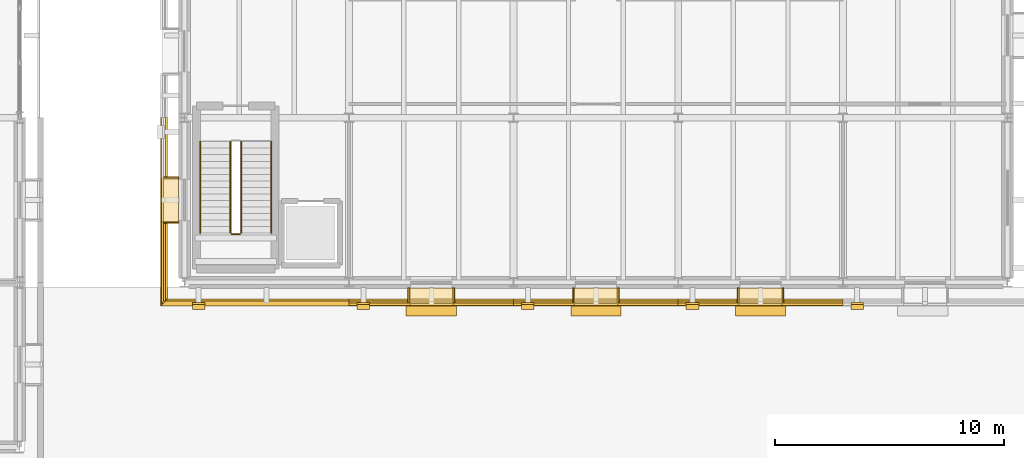
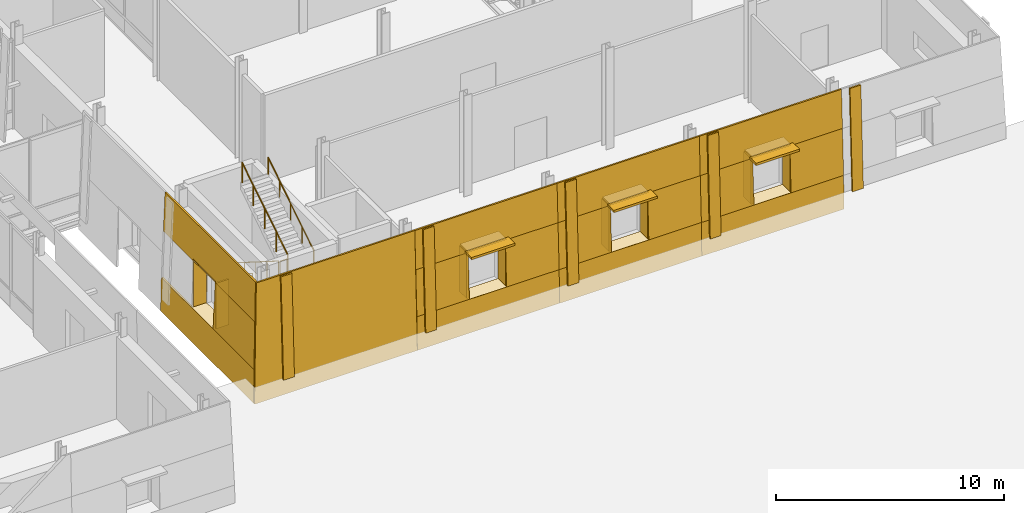
# One storey, part 105 of 120: 37 coverings, 5 railings, 3 shading devices.
"""IFC4 building model written with IfcOpenShell, lengths in metres."""

from ifc_helpers import new_model, si_unit, direction, frame, origin, origin_2d, place, context, subcontext, project, spatial, polyline, rectangle, circle, outline, extrude, material, layer, layer_set, type_object, element, save


model = new_model("IFC4")

# Units and contexts
model_context = context("Model", 3, precision=1e-05, world=origin(), true_north=direction((0.0, 1.0)))
body_context = subcontext(model_context, "Body", "Model", "MODEL_VIEW")
ifc_project = project(units=[si_unit("LENGTHUNIT", "METRE"), si_unit("AREAUNIT", "SQUARE_METRE"), si_unit("VOLUMEUNIT", "CUBIC_METRE"), si_unit("PLANEANGLEUNIT", "RADIAN"), si_unit("MASSUNIT", "GRAM", prefix="KILO")], contexts=[model_context])

# Site, building, storey
site_placement = place(None, origin())
site = spatial("IfcSite", under=ifc_project, at=site_placement, CompositionType="ELEMENT")
building_placement = place(site_placement, origin())
building = spatial("IfcBuilding", under=site, at=building_placement, Name="Narikvali Park Central Library", CompositionType="ELEMENT")
storey_placement = place(building_placement, origin())
storey = spatial("IfcBuildingStorey", under=building, at=storey_placement, Name="L00", CompositionType="ELEMENT", Elevation=0.0)

# Coverings
ifc_material_1 = material(Name="White Honed Limestone Cladding", Category="masonry")
ifc_layer_1 = layer(ifc_material_1, 0.0849609375, Name="White Honed Limestone Cladding")
ifc_layer_set_1 = layer_set([ifc_layer_1], Name="White Honed Limestone Cladding")
covering_type_1 = type_object("IfcCoveringType", Name="Battered White Limestone Facade Cladding Panel", PredefinedType="CLADDING", material=ifc_layer_set_1)
covering_1_placement = place(storey_placement, frame((65.14990234375, 56.419921875, 0.0), z_axis=(0.0, -0.999162106953, 0.040927790438), x_axis=(1.0, 0.0, 0.0)))
element("IfcCovering", 1, at=covering_1_placement, inside=storey, type_object=covering_type_1, Name="V1 L00 S Classical Limestone Pilaster B01", PredefinedType="CLADDING", context=body_context, shape_type="SweptSolid", body=[
    extrude(outline(polyline([(0.0, 0.0), (0.550048828125, 0.0), (0.550048828125, 5.404430678640961), (0.0, 5.404430678640961), (0.0, 0.0)])), origin(), (0.0, 0.0, -1.0), 0.0849609375),
])
covering_2_placement = place(storey_placement, frame((63.760009765625, 56.56005859375, -0.8798828125), z_axis=(0.0, -0.99938162103, 0.0351621323), x_axis=(1.0, 0.0, 0.0)))
element("IfcCovering", 2, at=covering_2_placement, inside=storey, type_object=covering_type_1, Name="V1 L00 S Battered Limestone Panel B01", PredefinedType="CLADDING", context=body_context, shape_type="SweptSolid", body=[
    extrude(outline(polyline([(0.0, 0.0), (8.239990234375, 0.0), (8.239990234375, 6.283670846157126), (0.220947265625, 6.283670846157126), (0.0, 0.0)])), origin(), (0.0, 0.0, -1.0), 0.0849609375),
])
covering_3_placement = place(storey_placement, frame((72.35009765625, 56.419921875, 0.0), z_axis=(0.0, -0.999162106953, 0.040927790438), x_axis=(1.0, 0.0, 0.0)))
element("IfcCovering", 3, at=covering_3_placement, inside=storey, type_object=covering_type_1, Name="V1 L00 S Classical Limestone Pilaster B02", PredefinedType="CLADDING", context=body_context, shape_type="SweptSolid", body=[
    extrude(outline(polyline([(0.0, 0.0), (0.5498046875, 0.0), (0.5498046875, 5.40443067864096), (0.0, 5.40443067864096), (0.0, 0.0)])), origin(), (0.0, 0.0, -1.0), 0.0849609375),
])
covering_4_placement = place(storey_placement, frame((72.0, 56.56005859375, -0.8798828125), z_axis=(0.0, -0.999788378597, 0.020571777337), x_axis=(1.0, 0.0, 0.0)))
element("IfcCovering", 4, at=covering_4_placement, inside=storey, type_object=covering_type_1, Name="V1 L00 S Battered Limestone Spandrel B02", PredefinedType="CLADDING", context=body_context, shape_type="SweptSolid", body=[
    extrude(outline(polyline([(0.0, 0.0), (7.199951171875, 0.0), (7.199951171875, 1.7801618766042835), (0.0, 1.7801618766042835), (0.0, 0.0)])), origin(), (0.0, 0.0, -1.0), 0.0849609375),
])
covering_5_placement = place(storey_placement, frame((72.0, 56.697021484375, 3.35009765625), z_axis=(0.0, -0.99916170734, 0.040937544941), x_axis=(1.0, 0.0, 0.0)))
element("IfcCovering", 5, at=covering_5_placement, inside=storey, type_object=covering_type_1, Name="V1 L00 S Battered Limestone Lintel B02", PredefinedType="CLADDING", context=body_context, shape_type="SweptSolid", body=[
    extrude(outline(polyline([(0.0, 0.0), (7.199951171875, 0.0), (7.199951171875, 2.0515244654015494), (0.0, 2.0515244654015494), (0.0, 0.0)])), origin(), (0.0, 0.0, -1.0), 0.0849609375),
])
for number, where, z_axis, x_axis, name in (
    (6, (72.0, 56.5966796875, 0.89990234375), (0.0, -0.999162496768, 0.040918272835), (1.0, 0.0, 0.0), "V1 L00 S Battered Limestone Jamb Pier L B02"),
    (7, (76.5400390625, 56.5966796875, 0.89990234375), (0.0, -0.999162496768, 0.040918272835), (1.0, 0.0, 0.0), "V1 L00 S Battered Limestone Jamb Pier R B02"),
):
    element("IfcCovering", number, at=place(storey_placement, frame(where, z_axis=z_axis, x_axis=x_axis)), inside=storey, type_object=covering_type_1, Name=name, PredefinedType="CLADDING", context=body_context, shape_type="SweptSolid", body=[
        extrude(outline(polyline([(0.0, 0.0), (2.659912109375, 0.0), (2.659912109375, 2.4522490790286935), (0.0, 2.4522490790286935), (0.0, 0.0)])), origin(), (0.0, 0.0, -1.0), 0.0849609375),
    ])
covering_6_placement = place(storey_placement, frame((79.550048828125, 56.419921875, 0.0), z_axis=(0.0, -0.999162106953, 0.040927790438), x_axis=(1.0, 0.0, 0.0)))
element("IfcCovering", 8, at=covering_6_placement, inside=storey, type_object=covering_type_1, Name="V1 L00 S Classical Limestone Pilaster B03", PredefinedType="CLADDING", context=body_context, shape_type="SweptSolid", body=[
    extrude(outline(polyline([(0.0, 0.0), (0.550048828125, 0.0), (0.550048828125, 5.404430678640961), (0.0, 5.404430678640961), (0.0, 0.0)])), origin(), (0.0, 0.0, -1.0), 0.0849609375),
])
covering_7_placement = place(storey_placement, frame((79.199951171875, 56.56005859375, -0.8798828125), z_axis=(0.0, -0.999788378597, 0.020571777337), x_axis=(1.0, 0.0, 0.0)))
element("IfcCovering", 9, at=covering_7_placement, inside=storey, type_object=covering_type_1, Name="V1 L00 S Battered Limestone Spandrel B03", PredefinedType="CLADDING", context=body_context, shape_type="SweptSolid", body=[
    extrude(outline(polyline([(0.0, 0.0), (7.199951171875, 0.0), (7.199951171875, 1.7801618766042835), (0.0, 1.7801618766042835), (0.0, 0.0)])), origin(), (0.0, 0.0, -1.0), 0.0849609375),
])
covering_8_placement = place(storey_placement, frame((79.199951171875, 56.697021484375, 3.35009765625), z_axis=(0.0, -0.99916170734, 0.040937544941), x_axis=(1.0, 0.0, 0.0)))
element("IfcCovering", 10, at=covering_8_placement, inside=storey, type_object=covering_type_1, Name="V1 L00 S Battered Limestone Lintel B03", PredefinedType="CLADDING", context=body_context, shape_type="SweptSolid", body=[
    extrude(outline(polyline([(0.0, 0.0), (7.199951171875, 0.0), (7.199951171875, 2.0515244654015494), (0.0, 2.0515244654015494), (0.0, 0.0)])), origin(), (0.0, 0.0, -1.0), 0.0849609375),
])
covering_9_placement = place(storey_placement, frame((79.199951171875, 56.5966796875, 0.89990234375), z_axis=(0.0, -0.999162496768, 0.040918272835), x_axis=(1.0, 0.0, 0.0)))
element("IfcCovering", 11, at=covering_9_placement, inside=storey, type_object=covering_type_1, Name="V1 L00 S Battered Limestone Jamb Pier L B03", PredefinedType="CLADDING", context=body_context, shape_type="SweptSolid", body=[
    extrude(outline(polyline([(0.0, 0.0), (2.66015625, 0.0), (2.66015625, 2.4522490790286935), (0.0, 2.4522490790286935), (0.0, 0.0)])), origin(), (0.0, 0.0, -1.0), 0.0849609375),
])
covering_10_placement = place(storey_placement, frame((83.739990234375, 56.5966796875, 0.89990234375), z_axis=(0.0, -0.999162496768, 0.040918272835), x_axis=(1.0, 0.0, 0.0)))
element("IfcCovering", 12, at=covering_10_placement, inside=storey, type_object=covering_type_1, Name="V1 L00 S Battered Limestone Jamb Pier R B03", PredefinedType="CLADDING", context=body_context, shape_type="SweptSolid", body=[
    extrude(outline(polyline([(0.0, 0.0), (2.659912109375, 0.0), (2.659912109375, 2.4522490790286935), (0.0, 2.4522490790286935), (0.0, 0.0)])), origin(), (0.0, 0.0, -1.0), 0.0849609375),
])
covering_11_placement = place(storey_placement, frame((86.75, 56.419921875, 0.0), z_axis=(0.0, -0.999162106953, 0.040927790438), x_axis=(1.0, 0.0, 0.0)))
element("IfcCovering", 13, at=covering_11_placement, inside=storey, type_object=covering_type_1, Name="V1 L00 S Classical Limestone Pilaster B04", PredefinedType="CLADDING", context=body_context, shape_type="SweptSolid", body=[
    extrude(outline(polyline([(0.0, 0.0), (0.550048828125, 0.0), (0.550048828125, 5.404430678640961), (0.0, 5.404430678640961), (0.0, 0.0)])), origin(), (0.0, 0.0, -1.0), 0.0849609375),
])
covering_12_placement = place(storey_placement, frame((86.39990234375, 56.56005859375, -0.8798828125), z_axis=(0.0, -0.999788378597, 0.020571777337), x_axis=(1.0, 0.0, 0.0)))
element("IfcCovering", 14, at=covering_12_placement, inside=storey, type_object=covering_type_1, Name="V1 L00 S Battered Limestone Spandrel B04", PredefinedType="CLADDING", context=body_context, shape_type="SweptSolid", body=[
    extrude(outline(polyline([(0.0, 0.0), (7.2001953125, 0.0), (7.2001953125, 1.7801618766042835), (0.0, 1.7801618766042835), (0.0, 0.0)])), origin(), (0.0, 0.0, -1.0), 0.0849609375),
])
covering_13_placement = place(storey_placement, frame((86.39990234375, 56.697021484375, 3.35009765625), z_axis=(0.0, -0.99916170734, 0.040937544941), x_axis=(1.0, 0.0, 0.0)))
element("IfcCovering", 15, at=covering_13_placement, inside=storey, type_object=covering_type_1, Name="V1 L00 S Battered Limestone Lintel B04", PredefinedType="CLADDING", context=body_context, shape_type="SweptSolid", body=[
    extrude(outline(polyline([(0.0, 0.0), (7.2001953125, 0.0), (7.2001953125, 2.0515244654015494), (0.0, 2.0515244654015494), (0.0, 0.0)])), origin(), (0.0, 0.0, -1.0), 0.0849609375),
])
for number, where, z_axis, x_axis, name in (
    (16, (86.39990234375, 56.5966796875, 0.89990234375), (0.0, -0.999162496768, 0.040918272835), (1.0, 0.0, 0.0), "V1 L00 S Battered Limestone Jamb Pier L B04"),
    (17, (90.93994140625, 56.5966796875, 0.89990234375), (0.0, -0.999162496768, 0.040918272835), (1.0, 0.0, 0.0), "V1 L00 S Battered Limestone Jamb Pier R B04"),
):
    element("IfcCovering", number, at=place(storey_placement, frame(where, z_axis=z_axis, x_axis=x_axis)), inside=storey, type_object=covering_type_1, Name=name, PredefinedType="CLADDING", context=body_context, shape_type="SweptSolid", body=[
        extrude(outline(polyline([(0.0, 0.0), (2.66015625, 0.0), (2.66015625, 2.4522490790286935), (0.0, 2.4522490790286935), (0.0, 0.0)])), origin(), (0.0, 0.0, -1.0), 0.0849609375),
    ])
covering_14_placement = place(storey_placement, frame((93.949951171875, 56.419921875, 0.0), z_axis=(0.0, -0.999162106953, 0.040927790438), x_axis=(1.0, 0.0, 0.0)))
element("IfcCovering", 18, at=covering_14_placement, inside=storey, type_object=covering_type_1, Name="V1 L00 S Classical Limestone Pilaster B05", PredefinedType="CLADDING", context=body_context, shape_type="SweptSolid", body=[
    extrude(outline(polyline([(0.0, 0.0), (0.550048828125, 0.0), (0.550048828125, 5.404430678640961), (0.0, 5.404430678640961), (0.0, 0.0)])), origin(), (0.0, 0.0, -1.0), 0.0849609375),
])
covering_15_placement = place(storey_placement, frame((63.760009765625, 64.800048828125, -0.8798828125), z_axis=(-0.999785548483, 0.0, 0.020708863899), x_axis=(0.0, -1.0, 0.0)))
element("IfcCovering", 19, at=covering_15_placement, inside=storey, type_object=covering_type_1, Name="V1 L00 W Battered Limestone Spandrel B05", PredefinedType="CLADDING", context=body_context, shape_type="SweptSolid", body=[
    extrude(outline(polyline([(0.0, 0.0), (8.155029296875, 0.0), (8.1181640625, 1.7801669157450828), (0.0, 1.7801669157450828), (0.0, 0.0)])), origin(), (0.0, 0.0, -1.0), 0.0849609375),
])
covering_16_placement = place(storey_placement, frame((63.897216796875, 64.800048828125, 3.35009765625), z_axis=(-0.999166567968, 0.0, 0.04081873902), x_axis=(0.0, -1.0, 0.0)))
element("IfcCovering", 20, at=covering_16_placement, inside=storey, type_object=covering_type_1, Name="V1 L00 W Battered Limestone Lintel B05", PredefinedType="CLADDING", context=body_context, shape_type="SweptSolid", body=[
    extrude(outline(polyline([(0.0, 0.0), (8.01806640625, 0.0), (7.93408203125, 2.0515144853863823), (0.0, 2.0515144853863823), (0.0, 0.0)])), origin(), (0.0, 0.0, -1.0), 0.0849609375),
])
covering_17_placement = place(storey_placement, frame((63.796875, 60.260009765625, 0.89990234375), z_axis=(-0.999162496768, 0.0, 0.040918272835), x_axis=(0.0, -1.0, 0.0)))
element("IfcCovering", 21, at=covering_17_placement, inside=storey, type_object=covering_type_1, Name="V1 L00 W Battered Limestone Jamb Pier R B05", PredefinedType="CLADDING", context=body_context, shape_type="SweptSolid", body=[
    extrude(outline(polyline([(0.0, 0.0), (3.578125, 0.0), (3.47802734375, 2.4522490790286935), (0.0, 2.4522490790286935), (0.0, 0.0)])), origin(), (0.0, 0.0, -1.0), 0.0849609375),
])

# Shading devices
ifc_material_2 = material(Name="Anodised Bronze Aluminium", Category="aluminium")
ifc_layer_2 = layer(ifc_material_2, 0.1201171875, Name="Anodised Bronze Aluminium")
ifc_layer_set_2 = layer_set([ifc_layer_2], Name="Anodised Bronze Aluminium")
shading_device_type = type_object("IfcShadingDeviceType", Name="Bronze Classical Cornice Sun Brise-Soleil 650", PredefinedType="SHUTTER", material=ifc_layer_set_2)
for number, where, z_axis, x_axis, name in (
    (22, (75.60009765625, 56.45703125, 3.349853515625), (0.0, 0.0, 1.0), (1.0, 0.0, 0.0), "V1 L00 Classical Bronze Brise-Soleil 02"),
    (23, (82.800048828125, 56.45703125, 3.349853515625), (0.0, 0.0, 1.0), (1.0, 0.0, 0.0), "V1 L00 Classical Bronze Brise-Soleil 03"),
    (24, (90.0, 56.45703125, 3.349853515625), (0.0, 0.0, 1.0), (1.0, 0.0, 0.0), "V1 L00 Classical Bronze Brise-Soleil 04"),
):
    element("IfcShadingDevice", number, at=place(storey_placement, frame(where, z_axis=z_axis, x_axis=x_axis)), inside=storey, type_object=shading_device_type, Name=name, PredefinedType="SHUTTER", context=body_context, shape_type="SweptSolid", body=[
        extrude(rectangle(XDim=2.199951171875, YDim=0.64990234375, at=origin_2d()), origin(), (0.0, 0.0, 1.0), 0.1201171875),
    ])

# Coverings
ifc_layer_3 = layer(ifc_material_1, 0.080078125, Name="White Honed Limestone Cladding")
ifc_layer_set_3 = layer_set([ifc_layer_3], Name="White Honed Limestone Cladding")
covering_type_2 = type_object("IfcCoveringType", Name="Deep Carved White Limestone Window Reveal", PredefinedType="CLADDING", material=ifc_layer_set_3)
covering_18_placement = place(storey_placement, frame((0.0, 0.0, 3.35009765625)))
element("IfcCovering", 25, at=covering_18_placement, inside=storey, type_object=covering_type_2, Name="Deep Stone Reveal Head V1-RVL-L00-S-B02", PredefinedType="CLADDING", context=body_context, shape_type="SweptSolid", body=[
    extrude(outline(polyline([(74.6201171875, 57.35498046875), (76.580078125, 57.35498046875), (76.580078125, 56.697021484375), (74.6201171875, 56.697021484375), (74.6201171875, 57.35498046875)])), origin(), (0.0, 0.0, 1.0), 0.079833984375),
])
covering_19_placement = place(storey_placement, frame((0.0, 0.0, 0.820068359375)))
element("IfcCovering", 26, at=covering_19_placement, inside=storey, type_object=covering_type_2, Name="Deep Stone Reveal Sill V1-RVL-L00-S-B02", PredefinedType="CLADDING", context=body_context, shape_type="SweptSolid", body=[
    extrude(outline(polyline([(74.6201171875, 57.35498046875), (76.580078125, 57.35498046875), (76.580078125, 56.5966796875), (74.6201171875, 56.5966796875), (74.6201171875, 57.35498046875)])), origin(), (0.0, 0.0, 1.0), 0.079833984375),
])
covering_20_placement = place(storey_placement, frame((0.0, 0.0, 0.89990234375)))
element("IfcCovering", 27, at=covering_20_placement, inside=storey, type_object=covering_type_2, Name="Deep Stone Reveal Jamb L V1-RVL-L00-S-B02", PredefinedType="CLADDING", context=body_context, shape_type="SweptSolid", body=[
    extrude(outline(polyline([(74.580078125, 57.35498046875), (74.659912109375, 57.35498046875), (74.659912109375, 56.697021484375), (74.580078125, 56.697021484375), (74.580078125, 57.35498046875)])), origin(), (0.0, 0.0, 1.0), 2.4501953125),
])
covering_21_placement = place(storey_placement, frame((0.0, 0.0, 0.89990234375)))
element("IfcCovering", 28, at=covering_21_placement, inside=storey, type_object=covering_type_2, Name="Deep Stone Reveal Jamb R V1-RVL-L00-S-B02", PredefinedType="CLADDING", context=body_context, shape_type="SweptSolid", body=[
    extrude(outline(polyline([(76.5400390625, 57.35498046875), (76.6201171875, 57.35498046875), (76.6201171875, 56.697021484375), (76.5400390625, 56.697021484375), (76.5400390625, 57.35498046875)])), origin(), (0.0, 0.0, 1.0), 2.4501953125),
])
covering_22_placement = place(storey_placement, frame((0.0, 0.0, 3.35009765625)))
element("IfcCovering", 29, at=covering_22_placement, inside=storey, type_object=covering_type_2, Name="Deep Stone Reveal Head V1-RVL-L00-S-B03", PredefinedType="CLADDING", context=body_context, shape_type="SweptSolid", body=[
    extrude(outline(polyline([(81.820068359375, 57.35498046875), (83.780029296875, 57.35498046875), (83.780029296875, 56.697021484375), (81.820068359375, 56.697021484375), (81.820068359375, 57.35498046875)])), origin(), (0.0, 0.0, 1.0), 0.079833984375),
])
covering_23_placement = place(storey_placement, frame((0.0, 0.0, 0.820068359375)))
element("IfcCovering", 30, at=covering_23_placement, inside=storey, type_object=covering_type_2, Name="Deep Stone Reveal Sill V1-RVL-L00-S-B03", PredefinedType="CLADDING", context=body_context, shape_type="SweptSolid", body=[
    extrude(outline(polyline([(81.820068359375, 57.35498046875), (83.780029296875, 57.35498046875), (83.780029296875, 56.5966796875), (81.820068359375, 56.5966796875), (81.820068359375, 57.35498046875)])), origin(), (0.0, 0.0, 1.0), 0.079833984375),
])
covering_24_placement = place(storey_placement, frame((0.0, 0.0, 0.89990234375)))
element("IfcCovering", 31, at=covering_24_placement, inside=storey, type_object=covering_type_2, Name="Deep Stone Reveal Jamb L V1-RVL-L00-S-B03", PredefinedType="CLADDING", context=body_context, shape_type="SweptSolid", body=[
    extrude(outline(polyline([(81.780029296875, 57.35498046875), (81.860107421875, 57.35498046875), (81.860107421875, 56.697021484375), (81.780029296875, 56.697021484375), (81.780029296875, 57.35498046875)])), origin(), (0.0, 0.0, 1.0), 2.4501953125),
])
covering_25_placement = place(storey_placement, frame((0.0, 0.0, 0.89990234375)))
element("IfcCovering", 32, at=covering_25_placement, inside=storey, type_object=covering_type_2, Name="Deep Stone Reveal Jamb R V1-RVL-L00-S-B03", PredefinedType="CLADDING", context=body_context, shape_type="SweptSolid", body=[
    extrude(outline(polyline([(83.739990234375, 57.35498046875), (83.820068359375, 57.35498046875), (83.820068359375, 56.697021484375), (83.739990234375, 56.697021484375), (83.739990234375, 57.35498046875)])), origin(), (0.0, 0.0, 1.0), 2.4501953125),
])
covering_26_placement = place(storey_placement, frame((0.0, 0.0, 3.35009765625)))
element("IfcCovering", 33, at=covering_26_placement, inside=storey, type_object=covering_type_2, Name="Deep Stone Reveal Head V1-RVL-L00-S-B04", PredefinedType="CLADDING", context=body_context, shape_type="SweptSolid", body=[
    extrude(outline(polyline([(89.02001953125, 57.35498046875), (90.97998046875, 57.35498046875), (90.97998046875, 56.697021484375), (89.02001953125, 56.697021484375), (89.02001953125, 57.35498046875)])), origin(), (0.0, 0.0, 1.0), 0.079833984375),
])
covering_27_placement = place(storey_placement, frame((0.0, 0.0, 0.820068359375)))
element("IfcCovering", 34, at=covering_27_placement, inside=storey, type_object=covering_type_2, Name="Deep Stone Reveal Sill V1-RVL-L00-S-B04", PredefinedType="CLADDING", context=body_context, shape_type="SweptSolid", body=[
    extrude(outline(polyline([(89.02001953125, 57.35498046875), (90.97998046875, 57.35498046875), (90.97998046875, 56.5966796875), (89.02001953125, 56.5966796875), (89.02001953125, 57.35498046875)])), origin(), (0.0, 0.0, 1.0), 0.079833984375),
])
covering_28_placement = place(storey_placement, frame((0.0, 0.0, 0.89990234375)))
element("IfcCovering", 35, at=covering_28_placement, inside=storey, type_object=covering_type_2, Name="Deep Stone Reveal Jamb L V1-RVL-L00-S-B04", PredefinedType="CLADDING", context=body_context, shape_type="SweptSolid", body=[
    extrude(outline(polyline([(88.97998046875, 57.35498046875), (89.06005859375, 57.35498046875), (89.06005859375, 56.697021484375), (88.97998046875, 56.697021484375), (88.97998046875, 57.35498046875)])), origin(), (0.0, 0.0, 1.0), 2.4501953125),
])
covering_29_placement = place(storey_placement, frame((0.0, 0.0, 0.89990234375)))
element("IfcCovering", 36, at=covering_29_placement, inside=storey, type_object=covering_type_2, Name="Deep Stone Reveal Jamb R V1-RVL-L00-S-B04", PredefinedType="CLADDING", context=body_context, shape_type="SweptSolid", body=[
    extrude(outline(polyline([(90.93994140625, 57.35498046875), (91.02001953125, 57.35498046875), (91.02001953125, 56.697021484375), (90.93994140625, 56.697021484375), (90.93994140625, 57.35498046875)])), origin(), (0.0, 0.0, 1.0), 2.4501953125),
])
covering_30_placement = place(storey_placement, frame((0.0, 0.0, 3.35009765625)))
element("IfcCovering", 37, at=covering_30_placement, inside=storey, type_object=covering_type_2, Name="Deep Stone Reveal Head V1-RVL-L00-W-B05", PredefinedType="CLADDING", context=body_context, shape_type="SweptSolid", body=[
    extrude(outline(polyline([(64.554931640625, 62.179931640625), (64.554931640625, 60.219970703125), (63.897216796875, 60.219970703125), (63.897216796875, 62.179931640625), (64.554931640625, 62.179931640625)])), origin(), (0.0, 0.0, 1.0), 0.079833984375),
])
covering_31_placement = place(storey_placement, frame((0.0, 0.0, 0.820068359375)))
element("IfcCovering", 38, at=covering_31_placement, inside=storey, type_object=covering_type_2, Name="Deep Stone Reveal Sill V1-RVL-L00-W-B05", PredefinedType="CLADDING", context=body_context, shape_type="SweptSolid", body=[
    extrude(outline(polyline([(64.554931640625, 62.179931640625), (64.554931640625, 60.219970703125), (63.796875, 60.219970703125), (63.796875, 62.179931640625), (64.554931640625, 62.179931640625)])), origin(), (0.0, 0.0, 1.0), 0.079833984375),
])
covering_32_placement = place(storey_placement, frame((0.0, 0.0, 0.89990234375)))
element("IfcCovering", 39, at=covering_32_placement, inside=storey, type_object=covering_type_2, Name="Deep Stone Reveal Jamb L V1-RVL-L00-W-B05", PredefinedType="CLADDING", context=body_context, shape_type="SweptSolid", body=[
    extrude(outline(polyline([(64.554931640625, 62.219970703125), (64.554931640625, 62.139892578125), (63.897216796875, 62.139892578125), (63.897216796875, 62.219970703125), (64.554931640625, 62.219970703125)])), origin(), (0.0, 0.0, 1.0), 2.4501953125),
])
covering_33_placement = place(storey_placement, frame((0.0, 0.0, 0.89990234375)))
element("IfcCovering", 40, at=covering_33_placement, inside=storey, type_object=covering_type_2, Name="Deep Stone Reveal Jamb R V1-RVL-L00-W-B05", PredefinedType="CLADDING", context=body_context, shape_type="SweptSolid", body=[
    extrude(outline(polyline([(64.554931640625, 60.260009765625), (64.554931640625, 60.179931640625), (63.897216796875, 60.179931640625), (63.897216796875, 60.260009765625), (64.554931640625, 60.260009765625)])), origin(), (0.0, 0.0, 1.0), 2.4501953125),
])

# Railings
ifc_material_3 = material(Name="Brushed Stainless Steel S355", Category="steel")
ifc_layer_4 = layer(ifc_material_3, 0.044921875, Name="Brushed Stainless Steel S355")
ifc_layer_set_4 = layer_set([ifc_layer_4], Name="Brushed Stainless Steel S355")
railing_type_1 = type_object("IfcRailingType", Name="Stair Tubular Steel Handrail 900", PredefinedType="HANDRAIL", material=ifc_layer_set_4)
railing_1_placement = place(storey_placement, frame((65.5, 63.75, 0.179931640625)))
element("IfcRailing", 41, at=railing_1_placement, inside=storey, type_object=railing_type_1, Name="L00 ST-01 stair handrail 1", PredefinedType="HANDRAIL", context=body_context, shape_type="SweptSolid", body=[
    extrude(circle(Radius=0.02392578125, at=origin_2d()), frame((0.0, 0.0, 0.8759765625), z_axis=(0.0, -0.845486444383, 0.533996884227), x_axis=(1.0, 0.0, 0.0)), (0.0, 0.0, 1.0), 4.71923828125),
    extrude(circle(Radius=0.02099609375, at=origin_2d()), origin(), (0.0, 0.0, 1.0), 0.851806640625),
    extrude(circle(Radius=0.02099609375, at=origin_2d()), frame((0.0, -0.99755859375, 0.6298828125)), (0.0, 0.0, 1.0), 0.851806640625),
    extrude(circle(Radius=0.02099609375, at=origin_2d()), frame((0.0, -1.9951171875, 1.260009765625)), (0.0, 0.0, 1.0), 0.851806640625),
    extrude(circle(Radius=0.02099609375, at=origin_2d()), frame((0.0, -2.992431640625, 1.89013671875)), (0.0, 0.0, 1.0), 0.851806640625),
    extrude(circle(Radius=0.02099609375, at=origin_2d()), frame((0.0, -3.989990234375, 2.52001953125)), (0.0, 0.0, 1.0), 0.851806640625),
])
railing_2_placement = place(storey_placement, frame((68.60009765625, 59.760009765625, 2.8798828125)))
element("IfcRailing", 42, at=railing_2_placement, inside=storey, type_object=railing_type_1, Name="L00 ST-01 stair handrail 2", PredefinedType="HANDRAIL", context=body_context, shape_type="SweptSolid", body=[
    extrude(circle(Radius=0.02392578125, at=origin_2d()), frame((0.0, 0.0, 0.8759765625), z_axis=(0.0, 0.845486444383, 0.533996884227), x_axis=(-1.0, 0.0, 0.0)), (0.0, 0.0, 1.0), 4.71923828125),
    extrude(circle(Radius=0.02099609375, at=origin_2d()), origin(), (0.0, 0.0, 1.0), 0.851806640625),
    extrude(circle(Radius=0.02099609375, at=origin_2d()), frame((0.0, 0.99755859375, 0.6298828125)), (0.0, 0.0, 1.0), 0.851806640625),
    extrude(circle(Radius=0.02099609375, at=origin_2d()), frame((0.0, 1.9951171875, 1.260009765625)), (0.0, 0.0, 1.0), 0.851806640625),
    extrude(circle(Radius=0.02099609375, at=origin_2d()), frame((0.0, 2.992431640625, 1.89013671875)), (0.0, 0.0, 1.0), 0.851806640625),
    extrude(circle(Radius=0.02099609375, at=origin_2d()), frame((0.0, 3.989990234375, 2.52001953125)), (0.0, 0.0, 1.0), 0.851806640625),
])
ifc_material_4 = material(Name="Powder-Coated Steel S275", Category="steel")
ifc_layer_5 = layer(ifc_material_4, 0.050048828125, Name="Powder-Coated Steel S275")
ifc_layer_set_5 = layer_set([ifc_layer_5], Name="Powder-Coated Steel S275")
railing_type_2 = type_object("IfcRailingType", Name="Stair Well Steel Guardrail 1100", PredefinedType="GUARDRAIL", material=ifc_layer_set_5)
railing_3_placement = place(storey_placement, frame((66.820068359375, 63.75, 0.179931640625)))
element("IfcRailing", 43, at=railing_3_placement, inside=storey, type_object=railing_type_2, Name="L00 ST-01 stair guard 1", PredefinedType="GUARDRAIL", context=body_context, shape_type="SweptSolid", body=[
    extrude(circle(Radius=0.02392578125, at=origin_2d()), frame((0.0, 0.0, 1.076171875), z_axis=(0.0, -0.845486444383, 0.533996884227), x_axis=(1.0, 0.0, 0.0)), (0.0, 0.0, 1.0), 4.71923828125),
    extrude(circle(Radius=0.02099609375, at=origin_2d()), origin(), (0.0, 0.0, 1.0), 1.052001953125),
    extrude(circle(Radius=0.02099609375, at=origin_2d()), frame((0.0, -0.99755859375, 0.6298828125)), (0.0, 0.0, 1.0), 1.052001953125),
    extrude(circle(Radius=0.02099609375, at=origin_2d()), frame((0.0, -1.9951171875, 1.260009765625)), (0.0, 0.0, 1.0), 1.052001953125),
    extrude(circle(Radius=0.02099609375, at=origin_2d()), frame((0.0, -2.992431640625, 1.89013671875)), (0.0, 0.0, 1.0), 1.052001953125),
    extrude(circle(Radius=0.02099609375, at=origin_2d()), frame((0.0, -3.989990234375, 2.52001953125)), (0.0, 0.0, 1.0), 1.052001953125),
])
railing_4_placement = place(storey_placement, frame((66.8701171875, 59.7099609375, 2.699951171875)))
element("IfcRailing", 44, at=railing_4_placement, inside=storey, type_object=railing_type_2, Name="L00 ST-01 stair guard 2", PredefinedType="GUARDRAIL", context=body_context, shape_type="SweptSolid", body=[
    extrude(circle(Radius=0.02392578125, at=origin_2d()), frame((0.0, 0.0, 1.076171875), z_axis=(1.0, 0.0, 0.0), x_axis=(0.0, 1.0, 0.0)), (0.0, 0.0, 1.0), 0.35986328125),
    extrude(circle(Radius=0.02099609375, at=origin_2d()), origin(), (0.0, 0.0, 1.0), 1.052001953125),
    extrude(circle(Radius=0.02099609375, at=origin_2d()), frame((0.35986328125, 0.0, 0.0)), (0.0, 0.0, 1.0), 1.052001953125),
])
railing_5_placement = place(storey_placement, frame((67.280029296875, 59.760009765625, 2.8798828125)))
element("IfcRailing", 45, at=railing_5_placement, inside=storey, type_object=railing_type_2, Name="L00 ST-01 stair guard 3", PredefinedType="GUARDRAIL", context=body_context, shape_type="SweptSolid", body=[
    extrude(circle(Radius=0.02392578125, at=origin_2d()), frame((0.0, 0.0, 1.076171875), z_axis=(0.0, 0.845486444383, 0.533996884227), x_axis=(-1.0, 0.0, 0.0)), (0.0, 0.0, 1.0), 4.71923828125),
    extrude(circle(Radius=0.02099609375, at=origin_2d()), origin(), (0.0, 0.0, 1.0), 1.052001953125),
    extrude(circle(Radius=0.02099609375, at=origin_2d()), frame((0.0, 0.99755859375, 0.6298828125)), (0.0, 0.0, 1.0), 1.052001953125),
    extrude(circle(Radius=0.02099609375, at=origin_2d()), frame((0.0, 1.9951171875, 1.260009765625)), (0.0, 0.0, 1.0), 1.052001953125),
    extrude(circle(Radius=0.02099609375, at=origin_2d()), frame((0.0, 2.992431640625, 1.89013671875)), (0.0, 0.0, 1.0), 1.052001953125),
    extrude(circle(Radius=0.02099609375, at=origin_2d()), frame((0.0, 3.989990234375, 2.52001953125)), (0.0, 0.0, 1.0), 1.052001953125),
])

save(model, "model.ifc")
